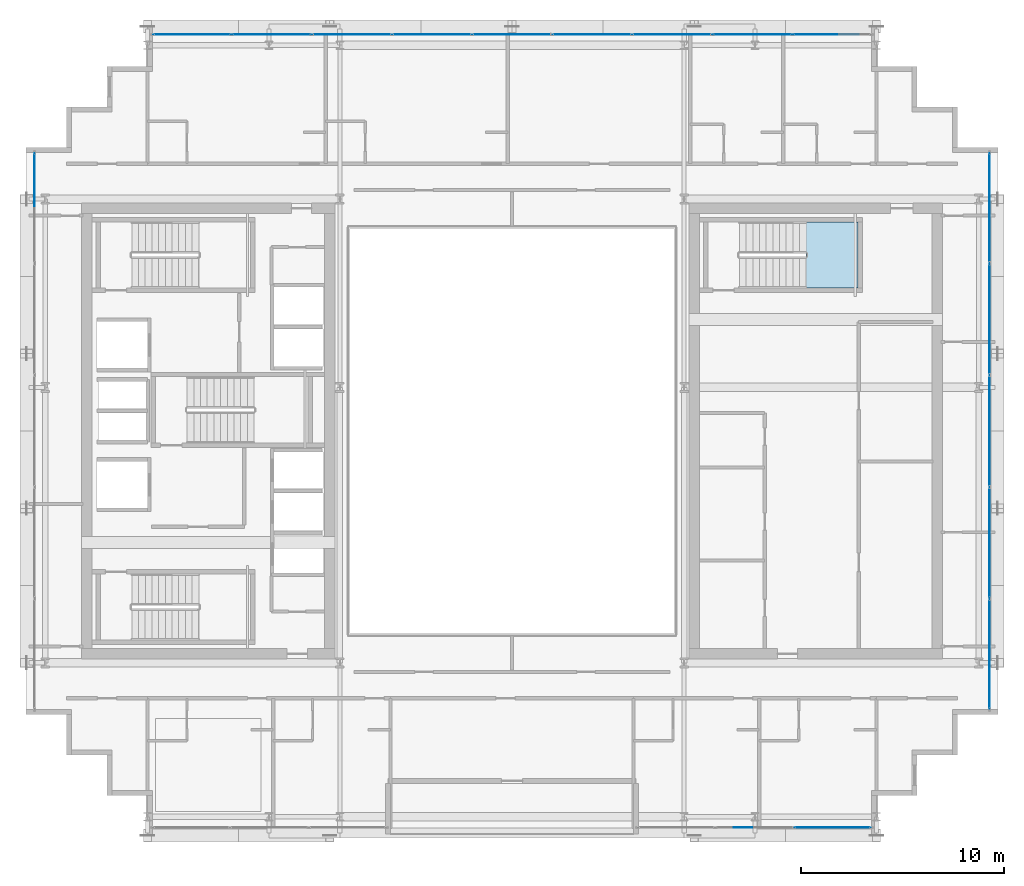
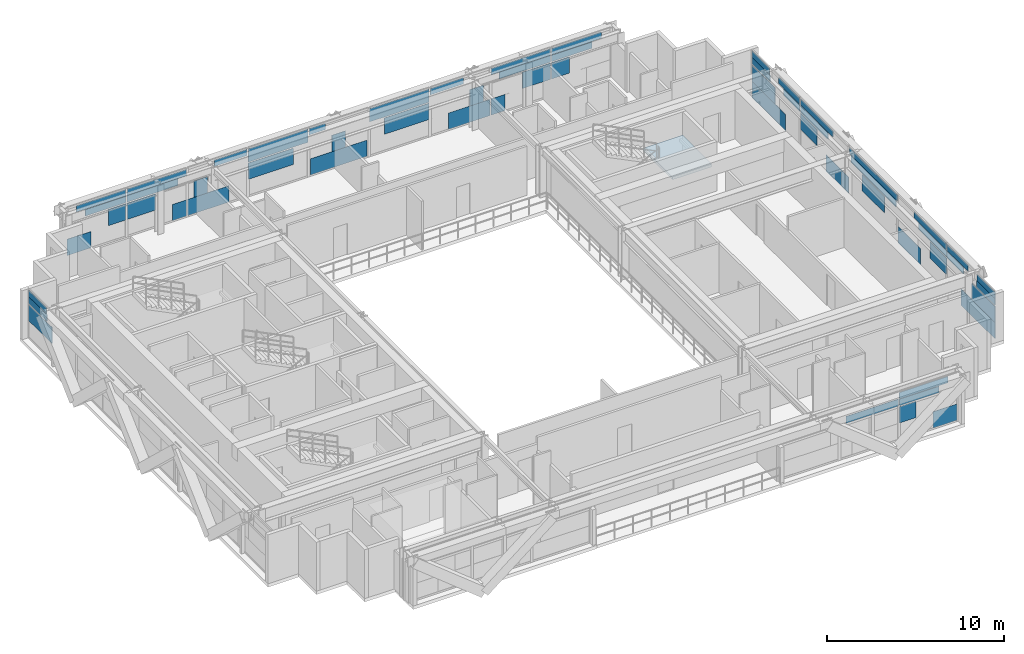
# One storey, part 21 of 32: 59 plates, 1 slab, 5 elements without a shape of their own.
"""IFC4 building model written with IfcOpenShell, lengths in metres."""

import ifcopenshell
import ifcopenshell.guid

model = None  # the IFC model being written
_history = None  # IfcOwnerHistory: only IFC2X3 demands one
_inside = {}  # id of a spatial element -> (the spatial element, [elements in it])
_under = {}  # id of a project, library or spatial element -> (it, [spatial elements below it])
_declared = {}  # id of a project -> (the project, [libraries it declares])
_typed = {}  # id of a type object -> (the type object, [elements of that type])
_made_of = {}  # id of a material, layer set ... -> (it, [elements and type objects made of it])


def new_model(schema):
    """Start an empty IFC model of exactly this schema.

    Asked for "IFC4X3", IfcOpenShell would pick the latest addendum, in which some entities
    have other attributes; the version numbers below select the first issue.
    IFC2X3 requires an IfcOwnerHistory on every rooted entity: one is made here for all.
    """
    global model, _history
    if schema == "IFC4X3":
        model = ifcopenshell.file(schema_version=(4, 3, 0, 0))
    else:
        model = ifcopenshell.file(schema=schema)
    _inside.clear()
    _under.clear()
    _declared.clear()
    _typed.clear()
    _made_of.clear()
    _history = None
    if model.schema == "IFC2X3":
        org = make("IfcOrganization", Name="unknown")
        user = make(
            "IfcPersonAndOrganization",
            ThePerson=make("IfcPerson", FamilyName="unknown"),
            TheOrganization=org,
        )
        app = make(
            "IfcApplication",
            ApplicationDeveloper=org,
            Version="unknown",
            ApplicationFullName="unknown",
            ApplicationIdentifier="unknown",
        )
        _history = make(
            "IfcOwnerHistory",
            OwningUser=user,
            OwningApplication=app,
            ChangeAction="ADDED",
            CreationDate=0,
        )
    return model


def make(cls, **values):
    """One entity of the class cls with the attributes given. An attribute that is None is left unset."""
    return model.create_entity(
        cls, **{name: value for name, value in values.items() if value is not None}
    )


def rooted(cls, **values):
    """An entity with a GlobalId (a new one), such as an element, a storey or a relation."""
    return make(cls, GlobalId=ifcopenshell.guid.new(), OwnerHistory=_history, **values)


def si_unit(unit_type, name, prefix=None):
    """IfcSIUnit, for example si_unit("LENGTHUNIT", "METRE", prefix="MILLI")."""
    return make("IfcSIUnit", UnitType=unit_type, Prefix=prefix, Name=name)


def assignment(units):
    """IfcUnitAssignment: the units of a project."""
    return None if units is None else make("IfcUnitAssignment", Units=units)


def point(xyz):
    """IfcCartesianPoint."""
    return None if xyz is None else make("IfcCartesianPoint", Coordinates=xyz)


def direction(xyz):
    """IfcDirection."""
    return None if xyz is None else make("IfcDirection", DirectionRatios=xyz)


def frame(location, z_axis=None, x_axis=None):
    """IfcAxis2Placement3D, a coordinate frame: its origin and axes. An axis left out is left unset."""
    return make(
        "IfcAxis2Placement3D",
        Location=point(location),
        Axis=direction(z_axis),
        RefDirection=direction(x_axis),
    )


def frame_2d(location, x_axis=None):
    """IfcAxis2Placement2D, a coordinate frame in the plane: its origin and x axis."""
    return make(
        "IfcAxis2Placement2D", Location=point(location), RefDirection=direction(x_axis)
    )


def origin():
    """The frame at (0, 0, 0) with its axes left unset."""
    return frame((0.0, 0.0, 0.0))


def origin_2d():
    """The frame at (0, 0) in the plane with its x axis left unset."""
    return frame_2d((0.0, 0.0))


def place(relative_to, where):
    """IfcLocalPlacement: puts the frame where relative to a parent placement (None: the world)."""
    return make(
        "IfcLocalPlacement", PlacementRelTo=relative_to, RelativePlacement=where
    )


def context(
    kind, dimensions, precision=None, world=None, true_north=None, identifier=None
):
    """IfcGeometricRepresentationContext, for example the 3D "Model" context."""
    return make(
        "IfcGeometricRepresentationContext",
        ContextIdentifier=identifier,
        ContextType=kind,
        CoordinateSpaceDimension=dimensions,
        Precision=precision,
        WorldCoordinateSystem=world,
        TrueNorth=true_north,
    )


def subcontext(parent, identifier, kind, view, scale=None):
    """IfcGeometricRepresentationSubContext, for example "Body" below "Model"."""
    return make(
        "IfcGeometricRepresentationSubContext",
        ContextIdentifier=identifier,
        ContextType=kind,
        ParentContext=parent,
        TargetScale=scale,
        TargetView=view,
    )


def project(units=None, contexts=None):
    """IfcProject with its units and contexts."""
    return rooted(
        "IfcProject",
        Name="project",
        RepresentationContexts=contexts,
        UnitsInContext=assignment(units),
    )


def spatial(cls, under=None, at=None, **own):
    """A site, building, storey or space (cls), placed at a placement, below another one or the project."""
    s = rooted(cls, ObjectPlacement=at, **own)
    if under is not None:
        _under.setdefault(under.id(), (under, []))[1].append(s)
    return s


def polyline(points):
    """IfcPolyline through the points."""
    return make("IfcPolyline", Points=[point(p) for p in points])


def profile(cls, at=None, kind="AREA", **sizes):
    """A parametric profile (cls). Its sizes go by their IFC names, for example OverallWidth=200.0."""
    return make(cls, ProfileType=kind, Position=at, **sizes)


def rectangle(**sizes):
    """IfcRectangleProfileDef."""
    return profile("IfcRectangleProfileDef", **sizes)


def outline(outer, holes=None, kind="AREA"):
    """IfcArbitraryClosedProfileDef: a profile drawn as a closed curve; with holes, ...WithVoids."""
    if holes is None:
        return make("IfcArbitraryClosedProfileDef", ProfileType=kind, OuterCurve=outer)
    return make(
        "IfcArbitraryProfileDefWithVoids",
        ProfileType=kind,
        OuterCurve=outer,
        InnerCurves=holes,
    )


def extrude(swept, where, along, depth):
    """IfcExtrudedAreaSolid: the profile swept, set in the frame where, extruded along a direction by depth."""
    return make(
        "IfcExtrudedAreaSolid",
        SweptArea=swept,
        Position=where,
        ExtrudedDirection=direction(along),
        Depth=depth,
    )


def shape(context_of_items, identifier, shape_type, items):
    """IfcShapeRepresentation: the items that make up one representation, for example the "Body"."""
    return make(
        "IfcShapeRepresentation",
        ContextOfItems=context_of_items,
        RepresentationIdentifier=identifier,
        RepresentationType=shape_type,
        Items=items,
    )


def source(mapping_origin, context_of_items, identifier, shape_type, items):
    """IfcRepresentationMap: a shape defined once, which mapped items show again and again."""
    return make(
        "IfcRepresentationMap",
        MappingOrigin=mapping_origin,
        MappedRepresentation=shape(context_of_items, identifier, shape_type, items),
    )


def transform(
    local_origin,
    x_axis=None,
    y_axis=None,
    z_axis=None,
    scale=None,
    scale2=None,
    scale3=None,
    uniform=True,
):
    """IfcCartesianTransformationOperator3D, or its non-uniform kind. x_axis, y_axis, z_axis: its Axis1, 2, 3."""
    if uniform:
        return make(
            "IfcCartesianTransformationOperator3D",
            Axis1=direction(x_axis),
            Axis2=direction(y_axis),
            LocalOrigin=point(local_origin),
            Scale=scale,
            Axis3=direction(z_axis),
        )
    return make(
        "IfcCartesianTransformationOperator3DnonUniform",
        Axis1=direction(x_axis),
        Axis2=direction(y_axis),
        LocalOrigin=point(local_origin),
        Scale=scale,
        Axis3=direction(z_axis),
        Scale2=scale2,
        Scale3=scale3,
    )


def mapped(mapping_source, mapping_target):
    """IfcMappedItem: shows the shape of a source again, moved by a transform."""
    return make(
        "IfcMappedItem", MappingSource=mapping_source, MappingTarget=mapping_target
    )


def material(Name=None, Category=None):
    """IfcMaterial."""
    return make("IfcMaterial", Name=Name, Category=Category)


def layer(
    of_material, thickness, ventilated=None, Name=None, Category=None, Priority=None
):
    """IfcMaterialLayer: one layer of a wall or slab, of a material (None: an air gap)."""
    return make(
        "IfcMaterialLayer",
        Material=of_material,
        LayerThickness=thickness,
        IsVentilated=ventilated,
        Name=Name,
        Category=Category,
        Priority=Priority,
    )


def layer_set(layers, Name=None):
    """IfcMaterialLayerSet."""
    return make("IfcMaterialLayerSet", MaterialLayers=layers, LayerSetName=Name)


def made_of(thing, what):
    """Note that an element or type object is made of a material, layer set ...; save() writes the relation."""
    if what is not None:
        _made_of.setdefault(what.id(), (what, []))[1].append(thing)
    return thing


def type_object(cls, material=None, **own):
    """A type object (cls), such as IfcWallType, which elements share."""
    return made_of(rooted(cls, **own), material)


def element(
    cls,
    number,
    at=None,
    inside=None,
    cuts=None,
    type_object=None,
    material=None,
    context=None,
    identifier="Body",
    shape_type=None,
    held_by="IfcProductDefinitionShape",
    body=None,
    shapes=None,
    **own,
):
    """One element of the class cls, such as IfcWall. Its Tag is "e" and its number.

    at: its placement. inside: the storey or other place that contains it. cuts: it is an
    opening in that element (IfcRelVoidsElement). A single representation is given by context,
    identifier, shape_type and body (its items); several are given by shapes. held_by: the class
    of the entity that holds the representations. save() writes the other relations.
    """
    e = rooted(cls, Tag="e%d" % number, ObjectPlacement=at, **own)
    if body is not None:
        shapes = [shape(context, identifier, shape_type, body)]
    if shapes is not None:
        e.Representation = make(held_by, Representations=shapes)
    if inside is not None:
        _inside.setdefault(inside.id(), (inside, []))[1].append(e)
    if cuts is not None:
        rooted(
            "IfcRelVoidsElement", RelatingBuildingElement=cuts, RelatedOpeningElement=e
        )
    if type_object is not None:
        _typed.setdefault(type_object.id(), (type_object, []))[1].append(e)
    return made_of(e, material)


def aggregate(whole, parts):
    """IfcRelAggregates: a whole, such as a stair, and the parts it consists of."""
    return rooted("IfcRelAggregates", RelatingObject=whole, RelatedObjects=parts)


def save(model, path):
    """Write the relations noted so far, then the file.

    IfcRelAggregates (storeys below a building ...), IfcRelContainedInSpatialStructure (elements
    in a storey), IfcRelDefinesByType, IfcRelAssociatesMaterial and IfcRelDeclares: one each for
    every whole, place, type object, material and project.
    """
    for whole, parts in _under.values():
        aggregate(whole, parts)
    for where, things in _inside.values():
        rooted(
            "IfcRelContainedInSpatialStructure",
            RelatedElements=things,
            RelatingStructure=where,
        )
    for kind, things in _typed.values():
        rooted("IfcRelDefinesByType", RelatedObjects=things, RelatingType=kind)
    for what, things in _made_of.values():
        rooted("IfcRelAssociatesMaterial", RelatedObjects=things, RelatingMaterial=what)
    for by, libraries in _declared.values():
        rooted("IfcRelDeclares", RelatingContext=by, RelatedDefinitions=libraries)
    model.write(path)


model = new_model("IFC4")

# Units and contexts
model_context = context("Model", 3, precision=1e-05, world=origin(), true_north=direction((0.0, 1.0)))
body_context = subcontext(model_context, "Body", "Model", "MODEL_VIEW")
ifc_project = project(units=[si_unit("LENGTHUNIT", "METRE"), si_unit("AREAUNIT", "SQUARE_METRE"), si_unit("VOLUMEUNIT", "CUBIC_METRE"), si_unit("PLANEANGLEUNIT", "RADIAN"), si_unit("MASSUNIT", "GRAM", prefix="KILO")], contexts=[model_context])

# Site, building, storey
site_placement = place(None, origin())
site = spatial("IfcSite", under=ifc_project, at=site_placement, CompositionType="ELEMENT")
building_placement = place(site_placement, origin())
building = spatial("IfcBuilding", under=site, at=building_placement, Name="Ocotamira Hotel", CompositionType="ELEMENT")
storey_placement = place(building_placement, frame((0.0, 0.0, 177.60009765625)))
storey = spatial("IfcBuildingStorey", under=building, at=storey_placement, Name="L44", CompositionType="ELEMENT", Elevation=177.60009765625)

# Stair, slab
ifc_material_1 = material(Name="Concrete C40/50", Category="concrete")
stair_type = type_object("IfcStairType", Name="ST-CORE-1560", PredefinedType="HALF_TURN_STAIR", material=ifc_material_1)
stair_placement = place(storey_placement, origin())
stair = element("IfcStair", 1, at=stair_placement, inside=storey, type_object=stair_type, Name="L44 Exit Stair ST-4", PredefinedType="HALF_TURN_STAIR")
ifc_layer_1 = layer(ifc_material_1, 0.199951171875)
ifc_layer_set_1 = layer_set([ifc_layer_1], Name="Concrete C40/50")
slab_type = type_object("IfcSlabType", Name="SLB-LAND-200", PredefinedType="LANDING", material=ifc_layer_set_1)
slab_placement = place(storey_placement, frame((0.0, 0.0, 1.599853515625)))
slab = element("IfcSlab", 2, at=slab_placement, type_object=slab_type, Name="ST-4 landing 1", PredefinedType="LANDING", context=body_context, shape_type="SweptSolid", body=[
    extrude(outline(polyline([(46.530029296875, 33.050048828125), (49.090087890625, 33.050048828125), (49.090087890625, 36.330078125), (46.530029296875, 36.330078125), (46.530029296875, 33.050048828125)])), origin(), (0.0, 0.0, 1.0), 0.199951171875),
])
aggregate(stair, [slab])

# Curtain wall, plates
ifc_material_2 = material(Name="Anodised pale-metal aluminium and solar glass", Category="aluminium")
ifc_layer_2 = layer(ifc_material_2, 0.199951171875)
ifc_layer_set_2 = layer_set([ifc_layer_2], Name="Anodised pale-metal aluminium and solar glass")
curtain_wall_type = type_object("IfcCurtainWallType", Name="CW-SYS4-Z3", PredefinedType="NOTDEFINED", material=ifc_layer_set_2)
curtain_wall_1_placement = place(storey_placement, origin())
curtain_wall_1 = element("IfcCurtainWall", 3, at=curtain_wall_1_placement, inside=storey, type_object=curtain_wall_type, Name="L44 Curtain Wall CW-4 CW-L44-N", PredefinedType="NOTDEFINED")
ifc_material_3 = material(Name="Double-silver low-E insulated solar glass", Category="glass")
ifc_layer_3 = layer(ifc_material_3, 0.031982421875)
ifc_layer_set_3 = layer_set([ifc_layer_3], Name="Double-silver low-E insulated solar glass")
plate_type = type_object("IfcPlateType", Name="CWP-VISION-32", PredefinedType="CURTAIN_PANEL", material=ifc_layer_set_3)
shared_shape_1 = source(origin(), body_context, "Body", "SweptSolid", [
    extrude(rectangle(XDim=3.233154296875, YDim=0.031982421875, at=origin_2d()), origin(), (0.0, 0.0, 1.0), 0.4326171875),
])
plate_1_placement = place(storey_placement, frame((16.4990234375, 45.580078125, 2.8623046875), z_axis=(0.0, 0.0, 1.0), x_axis=(1.0, 0.0, 0.0)))
plate_1 = element("IfcPlate", 4, at=plate_1_placement, type_object=plate_type, Name="CW-4 panel 1.2.1", PredefinedType="CURTAIN_PANEL", context=body_context, shape_type="MappedRepresentation", body=[
    mapped(shared_shape_1, transform((0.0, 0.0, 0.0), scale=1.0)),
])
plate_2_placement = place(storey_placement, frame((47.5009765625, 45.580078125, 2.8623046875), z_axis=(0.0, 0.0, 1.0), x_axis=(1.0, 0.0, 0.0)))
plate_2 = element("IfcPlate", 5, at=plate_2_placement, type_object=plate_type, Name="CW-4 panel 9.2.2", PredefinedType="CURTAIN_PANEL", context=body_context, shape_type="MappedRepresentation", body=[
    mapped(shared_shape_1, transform((0.0, 0.0, 0.0), scale=1.0)),
])
shared_shape_2 = source(origin(), body_context, "Body", "SweptSolid", [
    extrude(rectangle(XDim=2.6396484375, YDim=0.031982421875, at=origin_2d()), origin(), (0.0, 0.0, 1.0), 0.443603515625),
])
plate_3_placement = place(storey_placement, frame((16.795654296875, 45.580078125, 2.38720703125), z_axis=(0.0, 0.0, 1.0), x_axis=(1.0, 0.0, 0.0)))
plate_3 = element("IfcPlate", 6, at=plate_3_placement, type_object=plate_type, Name="CW-4 panel 1.2.2", PredefinedType="CURTAIN_PANEL", context=body_context, shape_type="MappedRepresentation", body=[
    mapped(shared_shape_2, transform((0.0, 0.0, 0.0), scale=1.0)),
])
plate_4_placement = place(storey_placement, frame((47.204345703125, 45.580078125, 2.38720703125), z_axis=(0.0, 0.0, 1.0), x_axis=(1.0, 0.0, 0.0)))
plate_4 = element("IfcPlate", 7, at=plate_4_placement, type_object=plate_type, Name="CW-4 panel 9.2.1", PredefinedType="CURTAIN_PANEL", context=body_context, shape_type="MappedRepresentation", body=[
    mapped(shared_shape_2, transform((0.0, 0.0, 0.0), scale=1.0)),
])
shared_shape_3 = source(origin(), body_context, "Body", "SweptSolid", [
    extrude(rectangle(XDim=3.32861328125, YDim=0.031982421875, at=origin_2d()), origin(), (0.0, 0.0, 1.0), 0.474853515625),
])
plate_5_placement = place(storey_placement, frame((19.85986328125, 45.580078125, 2.38720703125), z_axis=(0.0, 0.0, 1.0), x_axis=(1.0, 0.0, 0.0)))
plate_5 = element("IfcPlate", 8, at=plate_5_placement, type_object=plate_type, Name="CW-4 panel 2.2.1", PredefinedType="CURTAIN_PANEL", context=body_context, shape_type="MappedRepresentation", body=[
    mapped(shared_shape_3, transform((0.0, 0.0, 0.0), scale=1.0)),
])
plate_6_placement = place(storey_placement, frame((44.14013671875, 45.580078125, 2.38720703125), z_axis=(0.0, 0.0, 1.0), x_axis=(1.0, 0.0, 0.0)))
plate_6 = element("IfcPlate", 9, at=plate_6_placement, type_object=plate_type, Name="CW-4 panel 8.2.2", PredefinedType="CURTAIN_PANEL", context=body_context, shape_type="MappedRepresentation", body=[
    mapped(shared_shape_3, transform((0.0, 0.0, 0.0), scale=1.0)),
])
shared_shape_4 = source(origin(), body_context, "Body", "SweptSolid", [
    extrude(rectangle(XDim=3.87548828125, YDim=0.031982421875, at=origin_2d()), origin(), (0.0, 0.0, 1.0), 0.4326171875),
])
plate_7_placement = place(storey_placement, frame((20.13330078125, 45.580078125, 2.8623046875), z_axis=(0.0, 0.0, 1.0), x_axis=(1.0, 0.0, 0.0)))
plate_7 = element("IfcPlate", 10, at=plate_7_placement, type_object=plate_type, Name="CW-4 panel 2.2.2", PredefinedType="CURTAIN_PANEL", context=body_context, shape_type="MappedRepresentation", body=[
    mapped(shared_shape_4, transform((0.0, 0.0, 0.0), scale=1.0)),
])
plate_8_placement = place(storey_placement, frame((43.86669921875, 45.580078125, 2.8623046875), z_axis=(0.0, 0.0, 1.0), x_axis=(1.0, 0.0, 0.0)))
plate_8 = element("IfcPlate", 11, at=plate_8_placement, type_object=plate_type, Name="CW-4 panel 8.2.1", PredefinedType="CURTAIN_PANEL", context=body_context, shape_type="MappedRepresentation", body=[
    mapped(shared_shape_4, transform((0.0, 0.0, 0.0), scale=1.0)),
])
shared_shape_5 = source(origin(), body_context, "Body", "SweptSolid", [
    extrude(rectangle(XDim=2.144287109375, YDim=0.031982421875, at=origin_2d()), origin(), (0.0, 0.0, 1.0), 0.4326171875),
])
plate_9_placement = place(storey_placement, frame((24.95458984375, 45.580078125, 2.8623046875), z_axis=(0.0, 0.0, 1.0), x_axis=(1.0, 0.0, 0.0)))
plate_9 = element("IfcPlate", 12, at=plate_9_placement, type_object=plate_type, Name="CW-4 panel 3.2.1", PredefinedType="CURTAIN_PANEL", context=body_context, shape_type="MappedRepresentation", body=[
    mapped(shared_shape_5, transform((0.0, 0.0, 0.0), scale=1.0)),
])
plate_10_placement = place(storey_placement, frame((39.04541015625, 45.580078125, 2.8623046875), z_axis=(0.0, 0.0, 1.0), x_axis=(1.0, 0.0, 0.0)))
plate_10 = element("IfcPlate", 13, at=plate_10_placement, type_object=plate_type, Name="CW-4 panel 7.2.1", PredefinedType="CURTAIN_PANEL", context=body_context, shape_type="MappedRepresentation", body=[
    mapped(shared_shape_5, transform((0.0, 0.0, 0.0), scale=1.0)),
])
shared_shape_6 = source(origin(), body_context, "Body", "SweptSolid", [
    extrude(rectangle(XDim=3.87548828125, YDim=0.031982421875, at=origin_2d()), origin(), (0.0, 0.0, 1.0), 0.907470703125),
])
plate_11_placement = place(storey_placement, frame((28.04443359375, 45.580078125, 2.38720703125), z_axis=(0.0, 0.0, 1.0), x_axis=(1.0, 0.0, 0.0)))
plate_11 = element("IfcPlate", 14, at=plate_11_placement, type_object=plate_type, Name="CW-4 panel 4.2", PredefinedType="CURTAIN_PANEL", context=body_context, shape_type="MappedRepresentation", body=[
    mapped(shared_shape_6, transform((0.0, 0.0, 0.0), scale=1.0)),
])
plate_12_placement = place(storey_placement, frame((35.95556640625, 45.580078125, 2.38720703125), z_axis=(0.0, 0.0, 1.0), x_axis=(1.0, 0.0, 0.0)))
plate_12 = element("IfcPlate", 15, at=plate_12_placement, type_object=plate_type, Name="CW-4 panel 6.2", PredefinedType="CURTAIN_PANEL", context=body_context, shape_type="MappedRepresentation", body=[
    mapped(shared_shape_6, transform((0.0, 0.0, 0.0), scale=1.0)),
])
shared_shape_7 = source(origin(), body_context, "Body", "SweptSolid", [
    extrude(rectangle(XDim=1.055419921875, YDim=0.031982421875, at=origin_2d()), origin(), (0.0, 0.0, 1.0), 0.4326171875),
])
plate_13_placement = place(storey_placement, frame((30.58984375, 45.580078125, 2.8623046875), z_axis=(0.0, 0.0, 1.0), x_axis=(1.0, 0.0, 0.0)))
plate_13 = element("IfcPlate", 16, at=plate_13_placement, type_object=plate_type, Name="CW-4 panel 5.2.1", PredefinedType="CURTAIN_PANEL", context=body_context, shape_type="MappedRepresentation", body=[
    mapped(shared_shape_7, transform((0.0, 0.0, 0.0), scale=1.0)),
])

# Curtain wall, plate
curtain_wall_2_placement = place(storey_placement, origin())
curtain_wall_2 = element("IfcCurtainWall", 17, at=curtain_wall_2_placement, inside=storey, type_object=curtain_wall_type, Name="L44 Curtain Wall CW-4 CW-L44-W", PredefinedType="NOTDEFINED")
shared_shape_8 = source(origin(), body_context, "Body", "SweptSolid", [
    extrude(rectangle(XDim=2.048095703125, YDim=0.031982421875, at=origin_2d()), origin(), (0.0, 0.0, 1.0), 0.460693359375),
])
plate_14_placement = place(storey_placement, frame((8.419921875, 38.696044921875, 2.3876953125), z_axis=(0.0, 0.0, 1.0), x_axis=(0.0, 1.0, 0.0)))
plate_14 = element("IfcPlate", 18, at=plate_14_placement, type_object=plate_type, Name="CW-4 panel 5.2.3", PredefinedType="CURTAIN_PANEL", context=body_context, shape_type="MappedRepresentation", body=[
    mapped(shared_shape_8, transform((0.0, 0.0, 0.0), scale=1.0)),
])

# Curtain wall, plates
curtain_wall_3_placement = place(storey_placement, origin())
curtain_wall_3 = element("IfcCurtainWall", 19, at=curtain_wall_3_placement, inside=storey, type_object=curtain_wall_type, Name="L44 Curtain Wall CW-4 CW-L44-E", PredefinedType="NOTDEFINED")
plate_15_placement = place(storey_placement, frame((55.580078125, 13.303955078125, 2.3876953125), z_axis=(0.0, 0.0, 1.0), x_axis=(0.0, 1.0, 0.0)))
plate_15 = element("IfcPlate", 20, at=plate_15_placement, type_object=plate_type, Name="CW-4 panel 1.2.1", PredefinedType="CURTAIN_PANEL", context=body_context, shape_type="MappedRepresentation", body=[
    mapped(shared_shape_8, transform((0.0, 0.0, 0.0), scale=1.0)),
])
plate_16_placement = place(storey_placement, frame((55.580078125, 38.696044921875, 2.3876953125), z_axis=(0.0, 0.0, 1.0), x_axis=(0.0, 1.0, 0.0)))
plate_16 = element("IfcPlate", 21, at=plate_16_placement, type_object=plate_type, Name="CW-4 panel 5.2.3", PredefinedType="CURTAIN_PANEL", context=body_context, shape_type="MappedRepresentation", body=[
    mapped(shared_shape_8, transform((0.0, 0.0, 0.0), scale=1.0)),
])

# Plate
shared_shape_9 = source(origin(), body_context, "Body", "SweptSolid", [
    extrude(rectangle(XDim=2.01171875, YDim=0.031982421875, at=origin_2d()), origin(), (0.0, 0.0, 1.0), 0.44677734375),
])
plate_17_placement = place(storey_placement, frame((8.419921875, 38.714111328125, 2.84814453125), z_axis=(0.0, 0.0, 1.0), x_axis=(0.0, 1.0, 0.0)))
plate_17 = element("IfcPlate", 22, at=plate_17_placement, type_object=plate_type, Name="CW-4 panel 5.2.4", PredefinedType="CURTAIN_PANEL", context=body_context, shape_type="MappedRepresentation", body=[
    mapped(shared_shape_9, transform((0.0, 0.0, 0.0), scale=1.0)),
])

plate_18_placement = place(storey_placement, frame((55.580078125, 13.285888671875, 2.84814453125), z_axis=(0.0, 0.0, 1.0), x_axis=(0.0, 1.0, 0.0)))
plate_18 = element("IfcPlate", 23, at=plate_18_placement, type_object=plate_type, Name="CW-4 panel 1.2.2", PredefinedType="CURTAIN_PANEL", context=body_context, shape_type="MappedRepresentation", body=[
    mapped(shared_shape_9, transform((0.0, 0.0, 0.0), scale=1.0)),
])

plate_19_placement = place(storey_placement, frame((55.580078125, 38.714111328125, 2.84814453125), z_axis=(0.0, 0.0, 1.0), x_axis=(0.0, 1.0, 0.0)))
plate_19 = element("IfcPlate", 24, at=plate_19_placement, type_object=plate_type, Name="CW-4 panel 5.2.4", PredefinedType="CURTAIN_PANEL", context=body_context, shape_type="MappedRepresentation", body=[
    mapped(shared_shape_9, transform((0.0, 0.0, 0.0), scale=1.0)),
])

shared_shape_10 = source(origin(), body_context, "Body", "SweptSolid", [
    extrude(rectangle(XDim=2.3681640625, YDim=0.031982421875, at=origin_2d()), origin(), (0.0, 0.0, 1.0), 0.41259765625),
])
plate_20_placement = place(storey_placement, frame((55.580078125, 16.495849609375, 2.88232421875), z_axis=(0.0, 0.0, 1.0), x_axis=(0.0, 1.0, 0.0)))
plate_20 = element("IfcPlate", 25, at=plate_20_placement, type_object=plate_type, Name="CW-4 panel 1.2.3", PredefinedType="CURTAIN_PANEL", context=body_context, shape_type="MappedRepresentation", body=[
    mapped(shared_shape_10, transform((0.0, 0.0, 0.0), scale=1.0)),
])

plate_21_placement = place(storey_placement, frame((55.580078125, 35.504150390625, 2.88232421875), z_axis=(0.0, 0.0, 1.0), x_axis=(0.0, 1.0, 0.0)))
plate_21 = element("IfcPlate", 26, at=plate_21_placement, type_object=plate_type, Name="CW-4 panel 5.2.2", PredefinedType="CURTAIN_PANEL", context=body_context, shape_type="MappedRepresentation", body=[
    mapped(shared_shape_10, transform((0.0, 0.0, 0.0), scale=1.0)),
])

shared_shape_11 = source(origin(), body_context, "Body", "SweptSolid", [
    extrude(rectangle(XDim=1.84326171875, YDim=0.031982421875, at=origin_2d()), origin(), (0.0, 0.0, 1.0), 0.460693359375),
])
plate_22_placement = place(storey_placement, frame((55.580078125, 16.75830078125, 2.3876953125), z_axis=(0.0, 0.0, 1.0), x_axis=(0.0, 1.0, 0.0)))
plate_22 = element("IfcPlate", 27, at=plate_22_placement, type_object=plate_type, Name="CW-4 panel 1.2.4", PredefinedType="CURTAIN_PANEL", context=body_context, shape_type="MappedRepresentation", body=[
    mapped(shared_shape_11, transform((0.0, 0.0, 0.0), scale=1.0)),
])

plate_23_placement = place(storey_placement, frame((55.580078125, 35.24169921875, 2.3876953125), z_axis=(0.0, 0.0, 1.0), x_axis=(0.0, 1.0, 0.0)))
plate_23 = element("IfcPlate", 28, at=plate_23_placement, type_object=plate_type, Name="CW-4 panel 5.2.1", PredefinedType="CURTAIN_PANEL", context=body_context, shape_type="MappedRepresentation", body=[
    mapped(shared_shape_11, transform((0.0, 0.0, 0.0), scale=1.0)),
])

shared_shape_12 = source(origin(), body_context, "Body", "SweptSolid", [
    extrude(rectangle(XDim=3.13671875, YDim=0.031982421875, at=origin_2d()), origin(), (0.0, 0.0, 1.0), 0.460693359375),
])
plate_24_placement = place(storey_placement, frame((55.580078125, 19.328369140625, 2.3876953125), z_axis=(0.0, 0.0, 1.0), x_axis=(0.0, 1.0, 0.0)))
plate_24 = element("IfcPlate", 29, at=plate_24_placement, type_object=plate_type, Name="CW-4 panel 2.2.1", PredefinedType="CURTAIN_PANEL", context=body_context, shape_type="MappedRepresentation", body=[
    mapped(shared_shape_12, transform((0.0, 0.0, 0.0), scale=1.0)),
])

plate_25_placement = place(storey_placement, frame((55.580078125, 32.671630859375, 2.3876953125), z_axis=(0.0, 0.0, 1.0), x_axis=(0.0, 1.0, 0.0)))
plate_25 = element("IfcPlate", 30, at=plate_25_placement, type_object=plate_type, Name="CW-4 panel 4.2.2", PredefinedType="CURTAIN_PANEL", context=body_context, shape_type="MappedRepresentation", body=[
    mapped(shared_shape_12, transform((0.0, 0.0, 0.0), scale=1.0)),
])

shared_shape_13 = source(origin(), body_context, "Body", "SweptSolid", [
    extrude(rectangle(XDim=3.66162109375, YDim=0.031982421875, at=origin_2d()), origin(), (0.0, 0.0, 1.0), 0.41259765625),
])
plate_26_placement = place(storey_placement, frame((55.580078125, 19.5908203125, 2.88232421875), z_axis=(0.0, 0.0, 1.0), x_axis=(0.0, 1.0, 0.0)))
plate_26 = element("IfcPlate", 31, at=plate_26_placement, type_object=plate_type, Name="CW-4 panel 2.2.2", PredefinedType="CURTAIN_PANEL", context=body_context, shape_type="MappedRepresentation", body=[
    mapped(shared_shape_13, transform((0.0, 0.0, 0.0), scale=1.0)),
])

plate_27_placement = place(storey_placement, frame((55.580078125, 32.4091796875, 2.88232421875), z_axis=(0.0, 0.0, 1.0), x_axis=(0.0, 1.0, 0.0)))
plate_27 = element("IfcPlate", 32, at=plate_27_placement, type_object=plate_type, Name="CW-4 panel 4.2.1", PredefinedType="CURTAIN_PANEL", context=body_context, shape_type="MappedRepresentation", body=[
    mapped(shared_shape_13, transform((0.0, 0.0, 0.0), scale=1.0)),
])

shared_shape_14 = source(origin(), body_context, "Body", "SweptSolid", [
    extrude(rectangle(XDim=5.43994140625, YDim=0.031982421875, at=origin_2d()), origin(), (0.0, 0.0, 1.0), 0.41259765625),
])
plate_28_placement = place(storey_placement, frame((55.580078125, 26.0, 2.88232421875), z_axis=(0.0, 0.0, 1.0), x_axis=(0.0, 1.0, 0.0)))
plate_28 = element("IfcPlate", 33, at=plate_28_placement, type_object=plate_type, Name="CW-4 panel 3.2.1", PredefinedType="CURTAIN_PANEL", context=body_context, shape_type="MappedRepresentation", body=[
    mapped(shared_shape_14, transform((0.0, 0.0, 0.0), scale=1.0)),
])

shared_shape_15 = source(origin(), body_context, "Body", "SweptSolid", [
    extrude(rectangle(XDim=5.06005859375, YDim=0.031982421875, at=origin_2d()), origin(), (0.0, 0.0, 1.0), 0.4951171875),
])
plate_29_placement = place(storey_placement, frame((55.580078125, 26.0, 2.387451171875), z_axis=(0.0, 0.0, 1.0), x_axis=(0.0, 1.0, 0.0)))
plate_29 = element("IfcPlate", 34, at=plate_29_placement, type_object=plate_type, Name="CW-4 panel 3.2.2", PredefinedType="CURTAIN_PANEL", context=body_context, shape_type="MappedRepresentation", body=[
    mapped(shared_shape_15, transform((0.0, 0.0, 0.0), scale=1.0)),
])

shared_shape_16 = source(origin(), body_context, "Body", "SweptSolid", [
    extrude(rectangle(XDim=0.898193359375, YDim=0.031982421875, at=origin_2d()), origin(), (0.0, 0.0, 1.0), 1.118896484375),
])
plate_30_placement = place(storey_placement, frame((23.0, 45.580078125, 1.193359375), z_axis=(0.0, 0.0, 1.0), x_axis=(1.0, 0.0, 0.0)))
plate_30 = element("IfcPlate", 35, at=plate_30_placement, type_object=plate_type, Name="CW-4 panel 3.1.2", PredefinedType="CURTAIN_PANEL", context=body_context, shape_type="MappedRepresentation", body=[
    mapped(shared_shape_16, transform((0.0, 0.0, 0.0), scale=1.0)),
])

plate_31_placement = place(storey_placement, frame((32.0, 45.580078125, 1.193359375), z_axis=(0.0, 0.0, 1.0), x_axis=(1.0, 0.0, 0.0)))
plate_31 = element("IfcPlate", 36, at=plate_31_placement, type_object=plate_type, Name="CW-4 panel 5.1.2", PredefinedType="CURTAIN_PANEL", context=body_context, shape_type="MappedRepresentation", body=[
    mapped(shared_shape_16, transform((0.0, 0.0, 0.0), scale=1.0)),
])

plate_32_placement = place(storey_placement, frame((41.0, 45.580078125, 1.193359375), z_axis=(0.0, 0.0, 1.0), x_axis=(1.0, 0.0, 0.0)))
plate_32 = element("IfcPlate", 37, at=plate_32_placement, type_object=plate_type, Name="CW-4 panel 7.1.2", PredefinedType="CURTAIN_PANEL", context=body_context, shape_type="MappedRepresentation", body=[
    mapped(shared_shape_16, transform((0.0, 0.0, 0.0), scale=1.0)),
])

# Curtain wall, plates
curtain_wall_4_placement = place(storey_placement, origin())
curtain_wall_4 = element("IfcCurtainWall", 38, at=curtain_wall_4_placement, inside=storey, type_object=curtain_wall_type, Name="L44 Curtain Wall CW-4 CW-L44-S2", PredefinedType="NOTDEFINED")
shared_shape_17 = source(origin(), body_context, "Body", "SweptSolid", [
    extrude(rectangle(XDim=1.0751953125, YDim=0.031982421875, at=origin_2d()), origin(), (0.0, 0.0, 1.0), 1.118896484375),
])
plate_33_placement = place(storey_placement, frame((46.494384765625, 6.419921875, 1.193359375), z_axis=(0.0, 0.0, 1.0), x_axis=(1.0, 0.0, 0.0)))
plate_33 = element("IfcPlate", 39, at=plate_33_placement, type_object=plate_type, Name="CW-4 panel 3.1.1", PredefinedType="CURTAIN_PANEL", context=body_context, shape_type="MappedRepresentation", body=[
    mapped(shared_shape_17, transform((0.0, 0.0, 0.0), scale=1.0)),
])
shared_shape_18 = source(origin(), body_context, "Body", "SweptSolid", [
    extrude(rectangle(XDim=3.160888671875, YDim=0.031982421875, at=origin_2d()), origin(), (0.0, 0.0, 1.0), 0.4326171875),
])
plate_34_placement = place(storey_placement, frame((47.537109375, 6.419921875, 2.8623046875), z_axis=(0.0, 0.0, 1.0), x_axis=(1.0, 0.0, 0.0)))
plate_34 = element("IfcPlate", 40, at=plate_34_placement, type_object=plate_type, Name="CW-4 panel 3.2.2", PredefinedType="CURTAIN_PANEL", context=body_context, shape_type="MappedRepresentation", body=[
    mapped(shared_shape_18, transform((0.0, 0.0, 0.0), scale=1.0)),
])
shared_shape_19 = source(origin(), body_context, "Body", "SweptSolid", [
    extrude(rectangle(XDim=2.5673828125, YDim=0.031982421875, at=origin_2d()), origin(), (0.0, 0.0, 1.0), 0.443603515625),
])
plate_35_placement = place(storey_placement, frame((47.240478515625, 6.419921875, 2.38720703125), z_axis=(0.0, 0.0, 1.0), x_axis=(1.0, 0.0, 0.0)))
plate_35 = element("IfcPlate", 41, at=plate_35_placement, type_object=plate_type, Name="CW-4 panel 3.2.1", PredefinedType="CURTAIN_PANEL", context=body_context, shape_type="MappedRepresentation", body=[
    mapped(shared_shape_19, transform((0.0, 0.0, 0.0), scale=1.0)),
])
shared_shape_20 = source(origin(), body_context, "Body", "SweptSolid", [
    extrude(rectangle(XDim=3.40087890625, YDim=0.031982421875, at=origin_2d()), origin(), (0.0, 0.0, 1.0), 0.474853515625),
])
plate_36_placement = place(storey_placement, frame((44.17626953125, 6.419921875, 2.38720703125), z_axis=(0.0, 0.0, 1.0), x_axis=(1.0, 0.0, 0.0)))
plate_36 = element("IfcPlate", 42, at=plate_36_placement, type_object=plate_type, Name="CW-4 panel 2.2.2", PredefinedType="CURTAIN_PANEL", context=body_context, shape_type="MappedRepresentation", body=[
    mapped(shared_shape_20, transform((0.0, 0.0, 0.0), scale=1.0)),
])

# Plate
shared_shape_21 = source(origin(), body_context, "Body", "SweptSolid", [
    extrude(rectangle(XDim=1.1474609375, YDim=0.031982421875, at=origin_2d()), origin(), (0.0, 0.0, 1.0), 1.118896484375),
])
plate_37_placement = place(storey_placement, frame((17.541748046875, 45.580078125, 1.193359375), z_axis=(0.0, 0.0, 1.0), x_axis=(1.0, 0.0, 0.0)))
plate_37 = element("IfcPlate", 43, at=plate_37_placement, type_object=plate_type, Name="CW-4 panel 1.1.2", PredefinedType="CURTAIN_PANEL", context=body_context, shape_type="MappedRepresentation", body=[
    mapped(shared_shape_21, transform((0.0, 0.0, 0.0), scale=1.0)),
])

plate_38_placement = place(storey_placement, frame((46.458251953125, 45.580078125, 1.193359375), z_axis=(0.0, 0.0, 1.0), x_axis=(1.0, 0.0, 0.0)))
plate_38 = element("IfcPlate", 44, at=plate_38_placement, type_object=plate_type, Name="CW-4 panel 9.1.1", PredefinedType="CURTAIN_PANEL", context=body_context, shape_type="MappedRepresentation", body=[
    mapped(shared_shape_21, transform((0.0, 0.0, 0.0), scale=1.0)),
])

shared_shape_22 = source(origin(), body_context, "Body", "SweptSolid", [
    extrude(rectangle(XDim=1.83642578125, YDim=0.031982421875, at=origin_2d()), origin(), (0.0, 0.0, 1.0), 1.118896484375),
])
plate_39_placement = place(storey_placement, frame((19.11376953125, 45.580078125, 1.193359375), z_axis=(0.0, 0.0, 1.0), x_axis=(1.0, 0.0, 0.0)))
plate_39 = element("IfcPlate", 45, at=plate_39_placement, type_object=plate_type, Name="CW-4 panel 2.1.1", PredefinedType="CURTAIN_PANEL", context=body_context, shape_type="MappedRepresentation", body=[
    mapped(shared_shape_22, transform((0.0, 0.0, 0.0), scale=1.0)),
])

plate_40_placement = place(storey_placement, frame((44.88623046875, 45.580078125, 1.193359375), z_axis=(0.0, 0.0, 1.0), x_axis=(1.0, 0.0, 0.0)))
plate_40 = element("IfcPlate", 46, at=plate_40_placement, type_object=plate_type, Name="CW-4 panel 8.1.2", PredefinedType="CURTAIN_PANEL", context=body_context, shape_type="MappedRepresentation", body=[
    mapped(shared_shape_22, transform((0.0, 0.0, 0.0), scale=1.0)),
])

shared_shape_23 = source(origin(), body_context, "Body", "SweptSolid", [
    extrude(rectangle(XDim=2.92529296875, YDim=0.031982421875, at=origin_2d()), origin(), (0.0, 0.0, 1.0), 1.118896484375),
])
plate_41_placement = place(storey_placement, frame((27.5693359375, 45.580078125, 1.193359375), z_axis=(0.0, 0.0, 1.0), x_axis=(1.0, 0.0, 0.0)))
plate_41 = element("IfcPlate", 47, at=plate_41_placement, type_object=plate_type, Name="CW-4 panel 4.1.1", PredefinedType="CURTAIN_PANEL", context=body_context, shape_type="MappedRepresentation", body=[
    mapped(shared_shape_23, transform((0.0, 0.0, 0.0), scale=1.0)),
])

plate_42_placement = place(storey_placement, frame((36.4306640625, 45.580078125, 1.193359375), z_axis=(0.0, 0.0, 1.0), x_axis=(1.0, 0.0, 0.0)))
plate_42 = element("IfcPlate", 48, at=plate_42_placement, type_object=plate_type, Name="CW-4 panel 6.1.1", PredefinedType="CURTAIN_PANEL", context=body_context, shape_type="MappedRepresentation", body=[
    mapped(shared_shape_23, transform((0.0, 0.0, 0.0), scale=1.0)),
])

shared_shape_24 = source(origin(), body_context, "Body", "SweptSolid", [
    extrude(rectangle(XDim=2.615966796875, YDim=0.031982421875, at=origin_2d()), origin(), (0.0, 0.0, 1.0), 1.118896484375),
])
plate_43_placement = place(storey_placement, frame((8.419921875, 38.412109375, 1.193359375), z_axis=(0.0, 0.0, 1.0), x_axis=(0.0, 1.0, 0.0)))
plate_43 = element("IfcPlate", 49, at=plate_43_placement, type_object=plate_type, Name="CW-4 panel 5.1.2", PredefinedType="CURTAIN_PANEL", context=body_context, shape_type="MappedRepresentation", body=[
    mapped(shared_shape_24, transform((0.0, 0.0, 0.0), scale=1.0)),
])

aggregate(curtain_wall_2, [plate_43, plate_14, plate_17])

plate_44_placement = place(storey_placement, frame((55.580078125, 13.587890625, 1.193359375), z_axis=(0.0, 0.0, 1.0), x_axis=(0.0, 1.0, 0.0)))
plate_44 = element("IfcPlate", 50, at=plate_44_placement, type_object=plate_type, Name="CW-4 panel 1.1.2", PredefinedType="CURTAIN_PANEL", context=body_context, shape_type="MappedRepresentation", body=[
    mapped(shared_shape_24, transform((0.0, 0.0, 0.0), scale=1.0)),
])

plate_45_placement = place(storey_placement, frame((55.580078125, 38.412109375, 1.193359375), z_axis=(0.0, 0.0, 1.0), x_axis=(0.0, 1.0, 0.0)))
plate_45 = element("IfcPlate", 51, at=plate_45_placement, type_object=plate_type, Name="CW-4 panel 5.1.2", PredefinedType="CURTAIN_PANEL", context=body_context, shape_type="MappedRepresentation", body=[
    mapped(shared_shape_24, transform((0.0, 0.0, 0.0), scale=1.0)),
])

shared_shape_25 = source(origin(), body_context, "Body", "SweptSolid", [
    extrude(rectangle(XDim=1.87109375, YDim=0.031982421875, at=origin_2d()), origin(), (0.0, 0.0, 1.0), 1.118896484375),
])
plate_46_placement = place(storey_placement, frame((55.580078125, 18.695556640625, 1.193359375), z_axis=(0.0, 0.0, 1.0), x_axis=(0.0, 1.0, 0.0)))
plate_46 = element("IfcPlate", 52, at=plate_46_placement, type_object=plate_type, Name="CW-4 panel 2.1.1", PredefinedType="CURTAIN_PANEL", context=body_context, shape_type="MappedRepresentation", body=[
    mapped(shared_shape_25, transform((0.0, 0.0, 0.0), scale=1.0)),
])

plate_47_placement = place(storey_placement, frame((55.580078125, 33.304443359375, 1.193359375), z_axis=(0.0, 0.0, 1.0), x_axis=(0.0, 1.0, 0.0)))
plate_47 = element("IfcPlate", 53, at=plate_47_placement, type_object=plate_type, Name="CW-4 panel 4.1.2", PredefinedType="CURTAIN_PANEL", context=body_context, shape_type="MappedRepresentation", body=[
    mapped(shared_shape_25, transform((0.0, 0.0, 0.0), scale=1.0)),
])

shared_shape_26 = source(origin(), body_context, "Body", "SweptSolid", [
    extrude(rectangle(XDim=2.52880859375, YDim=0.031982421875, at=origin_2d()), origin(), (0.0, 0.0, 1.0), 1.118896484375),
])
plate_48_placement = place(storey_placement, frame((55.580078125, 26.0, 1.193359375), z_axis=(0.0, 0.0, 1.0), x_axis=(0.0, 1.0, 0.0)))
plate_48 = element("IfcPlate", 54, at=plate_48_placement, type_object=plate_type, Name="CW-4 panel 3.1.1", PredefinedType="CURTAIN_PANEL", context=body_context, shape_type="MappedRepresentation", body=[
    mapped(shared_shape_26, transform((0.0, 0.0, 0.0), scale=1.0)),
])

shared_shape_27 = source(origin(), body_context, "Body", "SweptSolid", [
    extrude(rectangle(XDim=1.5673828125, YDim=0.031982421875, at=origin_2d()), origin(), (0.0, 0.0, 1.0), 1.11865234375),
])
plate_49_placement = place(storey_placement, frame((48.936279296875, 6.419921875, 0.074951171875), z_axis=(0.0, 0.0, 1.0), x_axis=(1.0, 0.0, 0.0)))
plate_49 = element("IfcPlate", 55, at=plate_49_placement, type_object=plate_type, Name="CW-4 panel 3.1.2", PredefinedType="CURTAIN_PANEL", context=body_context, shape_type="MappedRepresentation", body=[
    mapped(shared_shape_27, transform((0.0, 0.0, 0.0), scale=1.0)),
])

aggregate(curtain_wall_4, [plate_36, plate_33, plate_49, plate_35, plate_34])

plate_50_placement = place(storey_placement, frame((15.063720703125, 45.580078125, 0.074951171875), z_axis=(0.0, 0.0, 1.0), x_axis=(1.0, 0.0, 0.0)))
plate_50 = element("IfcPlate", 56, at=plate_50_placement, type_object=plate_type, Name="CW-4 panel 1.1.1", PredefinedType="CURTAIN_PANEL", context=body_context, shape_type="MappedRepresentation", body=[
    mapped(shared_shape_27, transform((0.0, 0.0, 0.0), scale=1.0)),
])

shared_shape_28 = source(origin(), body_context, "Body", "SweptSolid", [
    extrude(rectangle(XDim=0.918701171875, YDim=0.031982421875, at=origin_2d()), origin(), (0.0, 0.0, 1.0), 1.11865234375),
])
plate_51_placement = place(storey_placement, frame((21.61181640625, 45.580078125, 0.074951171875), z_axis=(0.0, 0.0, 1.0), x_axis=(1.0, 0.0, 0.0)))
plate_51 = element("IfcPlate", 57, at=plate_51_placement, type_object=plate_type, Name="CW-4 panel 2.1.2", PredefinedType="CURTAIN_PANEL", context=body_context, shape_type="MappedRepresentation", body=[
    mapped(shared_shape_28, transform((0.0, 0.0, 0.0), scale=1.0)),
])

plate_52_placement = place(storey_placement, frame((42.38818359375, 45.580078125, 0.074951171875), z_axis=(0.0, 0.0, 1.0), x_axis=(1.0, 0.0, 0.0)))
plate_52 = element("IfcPlate", 58, at=plate_52_placement, type_object=plate_type, Name="CW-4 panel 8.1.1", PredefinedType="CURTAIN_PANEL", context=body_context, shape_type="MappedRepresentation", body=[
    mapped(shared_shape_28, transform((0.0, 0.0, 0.0), scale=1.0)),
])

shared_shape_29 = source(origin(), body_context, "Body", "SweptSolid", [
    extrude(rectangle(XDim=2.6962890625, YDim=0.031982421875, at=origin_2d()), origin(), (0.0, 0.0, 1.0), 1.11865234375),
])
plate_53_placement = place(storey_placement, frame((23.499267578125, 45.580078125, 0.074951171875), z_axis=(0.0, 0.0, 1.0), x_axis=(1.0, 0.0, 0.0)))
plate_53 = element("IfcPlate", 59, at=plate_53_placement, type_object=plate_type, Name="CW-4 panel 3.1.1", PredefinedType="CURTAIN_PANEL", context=body_context, shape_type="MappedRepresentation", body=[
    mapped(shared_shape_29, transform((0.0, 0.0, 0.0), scale=1.0)),
])

plate_54_placement = place(storey_placement, frame((40.500732421875, 45.580078125, 0.074951171875), z_axis=(0.0, 0.0, 1.0), x_axis=(1.0, 0.0, 0.0)))
plate_54 = element("IfcPlate", 60, at=plate_54_placement, type_object=plate_type, Name="CW-4 panel 7.1.1", PredefinedType="CURTAIN_PANEL", context=body_context, shape_type="MappedRepresentation", body=[
    mapped(shared_shape_29, transform((0.0, 0.0, 0.0), scale=1.0)),
])

shared_shape_30 = source(origin(), body_context, "Body", "SweptSolid", [
    extrude(rectangle(XDim=3.695068359375, YDim=0.031982421875, at=origin_2d()), origin(), (0.0, 0.0, 1.0), 1.11865234375),
])
plate_55_placement = place(storey_placement, frame((32.0, 45.580078125, 0.074951171875), z_axis=(0.0, 0.0, 1.0), x_axis=(1.0, 0.0, 0.0)))
plate_55 = element("IfcPlate", 61, at=plate_55_placement, type_object=plate_type, Name="CW-4 panel 5.1.1", PredefinedType="CURTAIN_PANEL", context=body_context, shape_type="MappedRepresentation", body=[
    mapped(shared_shape_30, transform((0.0, 0.0, 0.0), scale=1.0)),
])

aggregate(curtain_wall_1, [plate_50, plate_37, plate_1, plate_3, plate_39, plate_51, plate_5, plate_7, plate_53, plate_30, plate_9, plate_41, plate_11, plate_55, plate_31, plate_13, plate_42, plate_12, plate_54, plate_32, plate_10, plate_52, plate_40, plate_8, plate_6, plate_38, plate_4, plate_2])

shared_shape_31 = source(origin(), body_context, "Body", "SweptSolid", [
    extrude(rectangle(XDim=3.802001953125, YDim=0.031982421875, at=origin_2d()), origin(), (0.0, 0.0, 1.0), 1.11865234375),
])
plate_56_placement = place(storey_placement, frame((55.580078125, 14.180908203125, 0.074951171875), z_axis=(0.0, 0.0, 1.0), x_axis=(0.0, 1.0, 0.0)))
plate_56 = element("IfcPlate", 62, at=plate_56_placement, type_object=plate_type, Name="CW-4 panel 1.1.1", PredefinedType="CURTAIN_PANEL", context=body_context, shape_type="MappedRepresentation", body=[
    mapped(shared_shape_31, transform((0.0, 0.0, 0.0), scale=1.0)),
])

plate_57_placement = place(storey_placement, frame((55.580078125, 37.819091796875, 0.074951171875), z_axis=(0.0, 0.0, 1.0), x_axis=(0.0, 1.0, 0.0)))
plate_57 = element("IfcPlate", 63, at=plate_57_placement, type_object=plate_type, Name="CW-4 panel 5.1.1", PredefinedType="CURTAIN_PANEL", context=body_context, shape_type="MappedRepresentation", body=[
    mapped(shared_shape_31, transform((0.0, 0.0, 0.0), scale=1.0)),
])

shared_shape_32 = source(origin(), body_context, "Body", "SweptSolid", [
    extrude(rectangle(XDim=2.548828125, YDim=0.031982421875, at=origin_2d()), origin(), (0.0, 0.0, 1.0), 1.11865234375),
])
plate_58_placement = place(storey_placement, frame((55.580078125, 21.925537109375, 0.074951171875), z_axis=(0.0, 0.0, 1.0), x_axis=(0.0, 1.0, 0.0)))
plate_58 = element("IfcPlate", 64, at=plate_58_placement, type_object=plate_type, Name="CW-4 panel 2.1.2", PredefinedType="CURTAIN_PANEL", context=body_context, shape_type="MappedRepresentation", body=[
    mapped(shared_shape_32, transform((0.0, 0.0, 0.0), scale=1.0)),
])

plate_59_placement = place(storey_placement, frame((55.580078125, 30.074462890625, 0.074951171875), z_axis=(0.0, 0.0, 1.0), x_axis=(0.0, 1.0, 0.0)))
plate_59 = element("IfcPlate", 65, at=plate_59_placement, type_object=plate_type, Name="CW-4 panel 4.1.1", PredefinedType="CURTAIN_PANEL", context=body_context, shape_type="MappedRepresentation", body=[
    mapped(shared_shape_32, transform((0.0, 0.0, 0.0), scale=1.0)),
])

aggregate(curtain_wall_3, [plate_56, plate_44, plate_15, plate_18, plate_20, plate_22, plate_46, plate_58, plate_24, plate_26, plate_48, plate_28, plate_29, plate_59, plate_47, plate_27, plate_25, plate_57, plate_45, plate_23, plate_21, plate_16, plate_19])

save(model, "model.ifc")
